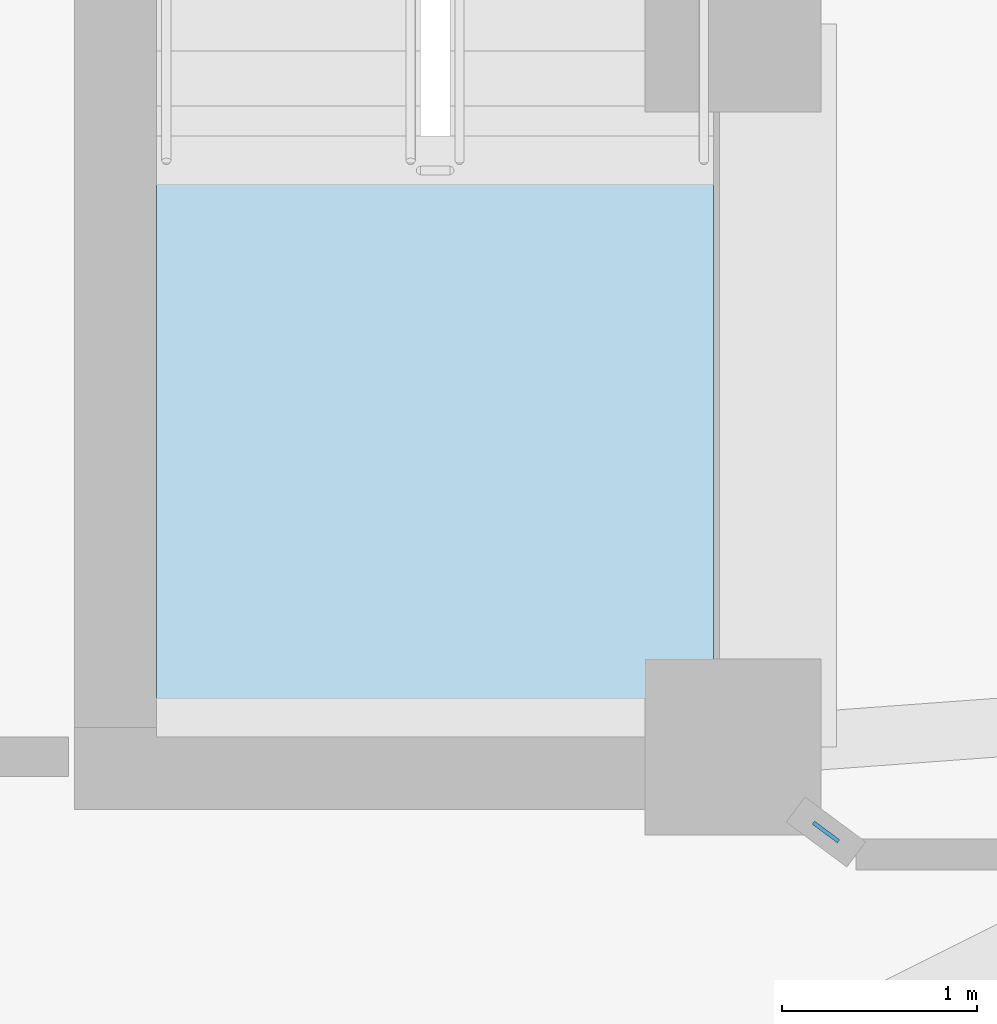
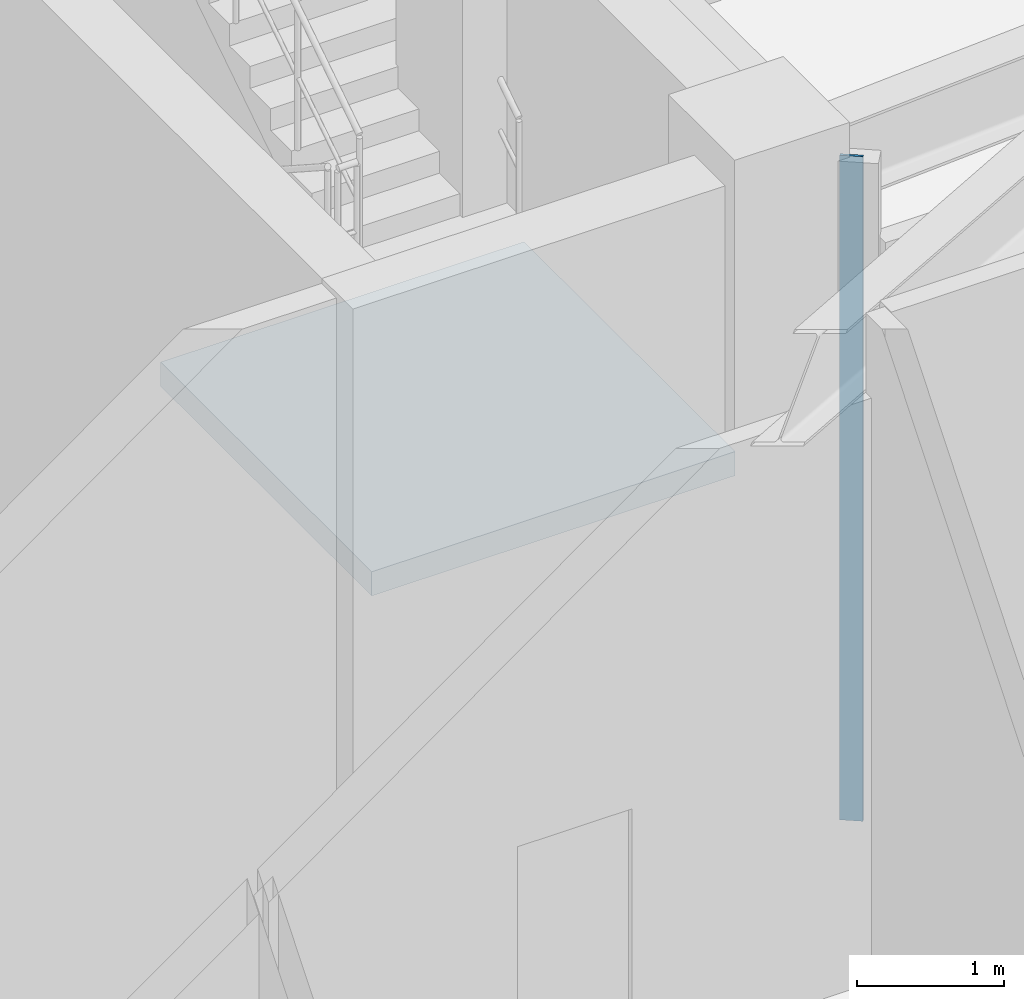
# One storey, part 10 of 16: 1 plate, 1 slab, 1 element without a shape of its own.
"""IFC4 building model written with IfcOpenShell, lengths in metres."""

import ifcopenshell
import ifcopenshell.guid

model = None  # the IFC model being written
_history = None  # IfcOwnerHistory: only IFC2X3 demands one
_inside = {}  # id of a spatial element -> (the spatial element, [elements in it])
_under = {}  # id of a project, library or spatial element -> (it, [spatial elements below it])
_declared = {}  # id of a project -> (the project, [libraries it declares])
_typed = {}  # id of a type object -> (the type object, [elements of that type])
_made_of = {}  # id of a material, layer set ... -> (it, [elements and type objects made of it])


def new_model(schema):
    """Start an empty IFC model of exactly this schema.

    Asked for "IFC4X3", IfcOpenShell would pick the latest addendum, in which some entities
    have other attributes; the version numbers below select the first issue.
    IFC2X3 requires an IfcOwnerHistory on every rooted entity: one is made here for all.
    """
    global model, _history
    if schema == "IFC4X3":
        model = ifcopenshell.file(schema_version=(4, 3, 0, 0))
    else:
        model = ifcopenshell.file(schema=schema)
    _inside.clear()
    _under.clear()
    _declared.clear()
    _typed.clear()
    _made_of.clear()
    _history = None
    if model.schema == "IFC2X3":
        org = make("IfcOrganization", Name="unknown")
        user = make(
            "IfcPersonAndOrganization",
            ThePerson=make("IfcPerson", FamilyName="unknown"),
            TheOrganization=org,
        )
        app = make(
            "IfcApplication",
            ApplicationDeveloper=org,
            Version="unknown",
            ApplicationFullName="unknown",
            ApplicationIdentifier="unknown",
        )
        _history = make(
            "IfcOwnerHistory",
            OwningUser=user,
            OwningApplication=app,
            ChangeAction="ADDED",
            CreationDate=0,
        )
    return model


def make(cls, **values):
    """One entity of the class cls with the attributes given. An attribute that is None is left unset."""
    return model.create_entity(
        cls, **{name: value for name, value in values.items() if value is not None}
    )


def rooted(cls, **values):
    """An entity with a GlobalId (a new one), such as an element, a storey or a relation."""
    return make(cls, GlobalId=ifcopenshell.guid.new(), OwnerHistory=_history, **values)


def si_unit(unit_type, name, prefix=None):
    """IfcSIUnit, for example si_unit("LENGTHUNIT", "METRE", prefix="MILLI")."""
    return make("IfcSIUnit", UnitType=unit_type, Prefix=prefix, Name=name)


def assignment(units):
    """IfcUnitAssignment: the units of a project."""
    return None if units is None else make("IfcUnitAssignment", Units=units)


def point(xyz):
    """IfcCartesianPoint."""
    return None if xyz is None else make("IfcCartesianPoint", Coordinates=xyz)


def direction(xyz):
    """IfcDirection."""
    return None if xyz is None else make("IfcDirection", DirectionRatios=xyz)


def frame(location, z_axis=None, x_axis=None):
    """IfcAxis2Placement3D, a coordinate frame: its origin and axes. An axis left out is left unset."""
    return make(
        "IfcAxis2Placement3D",
        Location=point(location),
        Axis=direction(z_axis),
        RefDirection=direction(x_axis),
    )


def frame_2d(location, x_axis=None):
    """IfcAxis2Placement2D, a coordinate frame in the plane: its origin and x axis."""
    return make(
        "IfcAxis2Placement2D", Location=point(location), RefDirection=direction(x_axis)
    )


def origin():
    """The frame at (0, 0, 0) with its axes left unset."""
    return frame((0.0, 0.0, 0.0))


def origin_2d():
    """The frame at (0, 0) in the plane with its x axis left unset."""
    return frame_2d((0.0, 0.0))


def place(relative_to, where):
    """IfcLocalPlacement: puts the frame where relative to a parent placement (None: the world)."""
    return make(
        "IfcLocalPlacement", PlacementRelTo=relative_to, RelativePlacement=where
    )


def context(
    kind, dimensions, precision=None, world=None, true_north=None, identifier=None
):
    """IfcGeometricRepresentationContext, for example the 3D "Model" context."""
    return make(
        "IfcGeometricRepresentationContext",
        ContextIdentifier=identifier,
        ContextType=kind,
        CoordinateSpaceDimension=dimensions,
        Precision=precision,
        WorldCoordinateSystem=world,
        TrueNorth=true_north,
    )


def subcontext(parent, identifier, kind, view, scale=None):
    """IfcGeometricRepresentationSubContext, for example "Body" below "Model"."""
    return make(
        "IfcGeometricRepresentationSubContext",
        ContextIdentifier=identifier,
        ContextType=kind,
        ParentContext=parent,
        TargetScale=scale,
        TargetView=view,
    )


def project(units=None, contexts=None):
    """IfcProject with its units and contexts."""
    return rooted(
        "IfcProject",
        Name="project",
        RepresentationContexts=contexts,
        UnitsInContext=assignment(units),
    )


def spatial(cls, under=None, at=None, **own):
    """A site, building, storey or space (cls), placed at a placement, below another one or the project."""
    s = rooted(cls, ObjectPlacement=at, **own)
    if under is not None:
        _under.setdefault(under.id(), (under, []))[1].append(s)
    return s


def polyline(points):
    """IfcPolyline through the points."""
    return make("IfcPolyline", Points=[point(p) for p in points])


def profile(cls, at=None, kind="AREA", **sizes):
    """A parametric profile (cls). Its sizes go by their IFC names, for example OverallWidth=200.0."""
    return make(cls, ProfileType=kind, Position=at, **sizes)


def rectangle(**sizes):
    """IfcRectangleProfileDef."""
    return profile("IfcRectangleProfileDef", **sizes)


def outline(outer, holes=None, kind="AREA"):
    """IfcArbitraryClosedProfileDef: a profile drawn as a closed curve; with holes, ...WithVoids."""
    if holes is None:
        return make("IfcArbitraryClosedProfileDef", ProfileType=kind, OuterCurve=outer)
    return make(
        "IfcArbitraryProfileDefWithVoids",
        ProfileType=kind,
        OuterCurve=outer,
        InnerCurves=holes,
    )


def extrude(swept, where, along, depth):
    """IfcExtrudedAreaSolid: the profile swept, set in the frame where, extruded along a direction by depth."""
    return make(
        "IfcExtrudedAreaSolid",
        SweptArea=swept,
        Position=where,
        ExtrudedDirection=direction(along),
        Depth=depth,
    )


def shape(context_of_items, identifier, shape_type, items):
    """IfcShapeRepresentation: the items that make up one representation, for example the "Body"."""
    return make(
        "IfcShapeRepresentation",
        ContextOfItems=context_of_items,
        RepresentationIdentifier=identifier,
        RepresentationType=shape_type,
        Items=items,
    )


def material(Name=None, Category=None):
    """IfcMaterial."""
    return make("IfcMaterial", Name=Name, Category=Category)


def layer(
    of_material, thickness, ventilated=None, Name=None, Category=None, Priority=None
):
    """IfcMaterialLayer: one layer of a wall or slab, of a material (None: an air gap)."""
    return make(
        "IfcMaterialLayer",
        Material=of_material,
        LayerThickness=thickness,
        IsVentilated=ventilated,
        Name=Name,
        Category=Category,
        Priority=Priority,
    )


def layer_set(layers, Name=None):
    """IfcMaterialLayerSet."""
    return make("IfcMaterialLayerSet", MaterialLayers=layers, LayerSetName=Name)


def made_of(thing, what):
    """Note that an element or type object is made of a material, layer set ...; save() writes the relation."""
    if what is not None:
        _made_of.setdefault(what.id(), (what, []))[1].append(thing)
    return thing


def type_object(cls, material=None, **own):
    """A type object (cls), such as IfcWallType, which elements share."""
    return made_of(rooted(cls, **own), material)


def element(
    cls,
    number,
    at=None,
    inside=None,
    cuts=None,
    type_object=None,
    material=None,
    context=None,
    identifier="Body",
    shape_type=None,
    held_by="IfcProductDefinitionShape",
    body=None,
    shapes=None,
    **own,
):
    """One element of the class cls, such as IfcWall. Its Tag is "e" and its number.

    at: its placement. inside: the storey or other place that contains it. cuts: it is an
    opening in that element (IfcRelVoidsElement). A single representation is given by context,
    identifier, shape_type and body (its items); several are given by shapes. held_by: the class
    of the entity that holds the representations. save() writes the other relations.
    """
    e = rooted(cls, Tag="e%d" % number, ObjectPlacement=at, **own)
    if body is not None:
        shapes = [shape(context, identifier, shape_type, body)]
    if shapes is not None:
        e.Representation = make(held_by, Representations=shapes)
    if inside is not None:
        _inside.setdefault(inside.id(), (inside, []))[1].append(e)
    if cuts is not None:
        rooted(
            "IfcRelVoidsElement", RelatingBuildingElement=cuts, RelatedOpeningElement=e
        )
    if type_object is not None:
        _typed.setdefault(type_object.id(), (type_object, []))[1].append(e)
    return made_of(e, material)


def aggregate(whole, parts):
    """IfcRelAggregates: a whole, such as a stair, and the parts it consists of."""
    return rooted("IfcRelAggregates", RelatingObject=whole, RelatedObjects=parts)


def save(model, path):
    """Write the relations noted so far, then the file.

    IfcRelAggregates (storeys below a building ...), IfcRelContainedInSpatialStructure (elements
    in a storey), IfcRelDefinesByType, IfcRelAssociatesMaterial and IfcRelDeclares: one each for
    every whole, place, type object, material and project.
    """
    for whole, parts in _under.values():
        aggregate(whole, parts)
    for where, things in _inside.values():
        rooted(
            "IfcRelContainedInSpatialStructure",
            RelatedElements=things,
            RelatingStructure=where,
        )
    for kind, things in _typed.values():
        rooted("IfcRelDefinesByType", RelatedObjects=things, RelatingType=kind)
    for what, things in _made_of.values():
        rooted("IfcRelAssociatesMaterial", RelatedObjects=things, RelatingMaterial=what)
    for by, libraries in _declared.values():
        rooted("IfcRelDeclares", RelatingContext=by, RelatedDefinitions=libraries)
    model.write(path)


model = new_model("IFC4")

# Units and contexts
model_context = context("Model", 3, precision=1e-05, world=origin(), true_north=direction((0.0, 1.0)))
body_context = subcontext(model_context, "Body", "Model", "MODEL_VIEW")
ifc_project = project(units=[si_unit("LENGTHUNIT", "METRE"), si_unit("AREAUNIT", "SQUARE_METRE"), si_unit("VOLUMEUNIT", "CUBIC_METRE"), si_unit("PLANEANGLEUNIT", "RADIAN"), si_unit("MASSUNIT", "GRAM", prefix="KILO")], contexts=[model_context])

# Site, building, storey
site_placement = place(None, origin())
site = spatial("IfcSite", under=ifc_project, at=site_placement, CompositionType="ELEMENT")
building_placement = place(site_placement, origin())
building = spatial("IfcBuilding", under=site, at=building_placement, Name="Miruveldt Soraemaru", CompositionType="ELEMENT")
storey_placement = place(building_placement, frame((0.0, 0.0, 289.60009765625)))
storey = spatial("IfcBuildingStorey", under=building, at=storey_placement, Name="L78", CompositionType="ELEMENT", Elevation=289.60009765625)

# Plate
ifc_material_1 = material(Name="Anodised aluminium EN AW-6063 T6", Category="aluminium")
ifc_layer_1 = layer(ifc_material_1, 0.02001953125, Name="Anodised aluminium EN AW-6063 T6", Category="aluminium")
ifc_layer_set_1 = layer_set([ifc_layer_1], Name="Anodised aluminium EN AW-6063 T6")
plate_type = type_object("IfcPlateType", Name="PLT-PART-TRIM", PredefinedType="SHEET", material=ifc_layer_set_1)
plate_placement = place(storey_placement, frame((52.97509765625, 35.06494140625, 0.0), z_axis=(0.0, 0.0, 1.0), x_axis=(-0.803129547743, 0.595804439009, 0.0)))
element("IfcPlate", 1, at=plate_placement, inside=storey, type_object=plate_type, Name="L78 Partition Step Corner Trim Plate 001", PredefinedType="SHEET", context=body_context, shape_type="SweptSolid", body=[
    extrude(rectangle(XDim=0.159912109375, YDim=0.02001953125, at=origin_2d()), origin(), (0.0, 0.0, 1.0), 5.510009765625),
])

# Stair, slab
ifc_material_2 = material(Name="Concrete C40/50 (40 MPa)", Category="concrete")
stair_type = type_object("IfcStairType", Name="STAIR-DL-580", PredefinedType="HALF_TURN_STAIR", material=ifc_material_2)
stair_placement = place(storey_placement, origin())
stair = element("IfcStair", 2, at=stair_placement, inside=storey, type_object=stair_type, Name="L78 Protected Exit Stair ST-2", PredefinedType="HALF_TURN_STAIR")
ifc_layer_2 = layer(ifc_material_2, 0.199951171875, Name="Concrete C40/50 (40 MPa)", Category="concrete")
ifc_layer_set_2 = layer_set([ifc_layer_2], Name="Concrete C40/50 (40 MPa)")
slab_type = type_object("IfcSlabType", Name="SLAB-LAND-200", PredefinedType="LANDING", material=ifc_layer_set_2)
slab_placement = place(storey_placement, frame((0.0, 0.0, 2.699951171875)))
slab = element("IfcSlab", 3, at=slab_placement, type_object=slab_type, Name="ST-2 landing 1", PredefinedType="LANDING", context=body_context, shape_type="SweptSolid", body=[
    extrude(outline(polyline([(49.550048828125, 38.51806640625), (49.550048828125, 35.64990234375), (52.39990234375, 35.64990234375), (52.39990234375, 38.51806640625), (49.550048828125, 38.51806640625)])), origin(), (0.0, 0.0, 1.0), 0.199951171875),
])
aggregate(stair, [slab])

save(model, "model.ifc")
